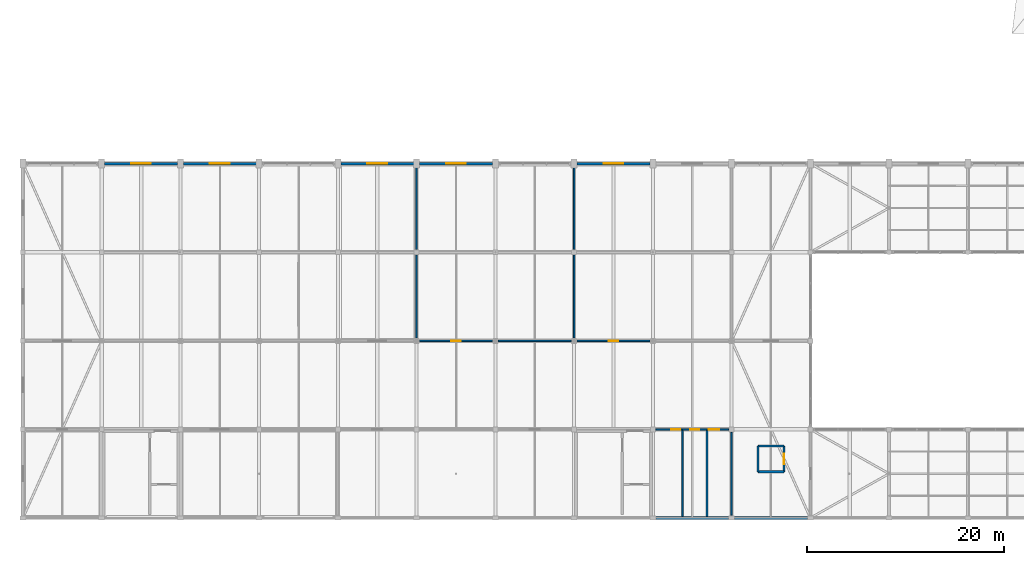
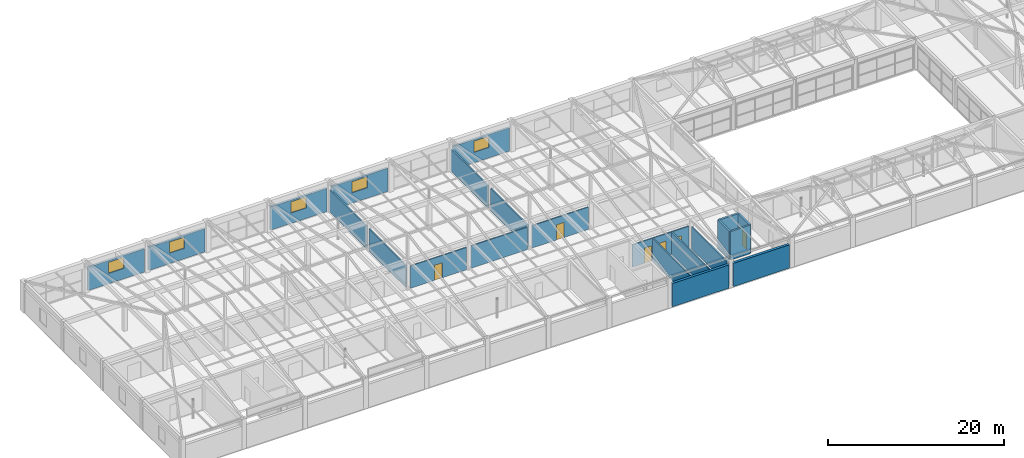
# One storey, part 54 of 65: 24 walls, 6 doors, 5 windows, 11 openings.
"""IFC4 building model written with IfcOpenShell, lengths in metres."""

from ifc_helpers import new_model, si_unit, direction, frame, frame_2d, origin, place, context, subcontext, project, spatial, rectangle, extrude, material, layer, layer_set, type_object, element, fill, save


model = new_model("IFC4")

# Units and contexts
model_context = context("Model", 3, precision=1e-05, world=origin(), true_north=direction((0.0, 1.0)))
body_context = subcontext(model_context, "Body", "Model", "MODEL_VIEW")
ifc_project = project(units=[si_unit("LENGTHUNIT", "METRE"), si_unit("AREAUNIT", "SQUARE_METRE"), si_unit("VOLUMEUNIT", "CUBIC_METRE"), si_unit("PLANEANGLEUNIT", "RADIAN"), si_unit("MASSUNIT", "GRAM", prefix="KILO")], contexts=[model_context])

# Site, building, storey
site_placement = place(None, origin())
site = spatial("IfcSite", under=ifc_project, at=site_placement, CompositionType="ELEMENT")
building_placement = place(site_placement, origin())
building = spatial("IfcBuilding", under=site, at=building_placement, Name="Varnabhumi Central Station", CompositionType="ELEMENT")
storey_placement = place(building_placement, frame((0.0, 0.0, 24.60009765625)))
storey = spatial("IfcBuildingStorey", under=building, at=storey_placement, Name="L05", CompositionType="ELEMENT", Elevation=24.60009765625)

# Wall, opening, window
ifc_material_1 = material(Name="Autoclaved aerated blockwork masonry", Category="masonry")
ifc_layer_1 = layer(ifc_material_1, 0.260009765625, Name="Autoclaved aerated blockwork masonry", Category="masonry")
ifc_layer_set_1 = layer_set([ifc_layer_1], Name="Autoclaved aerated blockwork masonry")
wall_type_1 = type_object("IfcWallType", Name="WAL-EXT-STUCCO-260", PredefinedType="SOLIDWALL", material=ifc_layer_set_1)
wall_1_placement = place(storey_placement, frame((40.294921875, 36.0, 0.0), z_axis=(0.0, 0.0, 1.0), x_axis=(1.0, 0.0, 0.0)))
wall_1 = element("IfcWall", 1, at=wall_1_placement, inside=storey, type_object=wall_type_1, Name="South Spine Wall L05-2", PredefinedType="SOLIDWALL", context=body_context, shape_type="SweptSolid", body=[
    extrude(rectangle(XDim=7.41015625, YDim=0.260009765625, at=frame_2d((3.705078125, 0.0))), origin(), (0.0, 0.0, 1.0), 3.239990234375),
])
opening_1_placement = place(wall_1_placement, frame((2.705078125, 0.0, 1.449951171875)))
opening_1 = element("IfcOpeningElement", 2, at=opening_1_placement, cuts=wall_1, Name="Opening W-06", PredefinedType="OPENING", context=body_context, shape_type="SweptSolid", body=[
    extrude(rectangle(XDim=2.0, YDim=1.550048828125, at=frame_2d((1.0, 0.77490234375))), frame((0.0, 0.139892578125, 0.0), z_axis=(0.0, -1.0, 0.0), x_axis=(1.0, 0.0, 0.0)), (0.0, 0.0, 1.0), 0.280029296875),
])
ifc_material_2 = material(Name="Laminated low-E double glazing", Category="glass")
window_type = type_object("IfcWindowType", Name="WIN-OPS-2000x1900", PartitioningType="DOUBLE_PANEL_VERTICAL", PredefinedType="WINDOW", material=ifc_material_2)
window_1_placement = place(opening_1_placement, origin())
window_1 = element("IfcWindow", 3, at=window_1_placement, inside=storey, type_object=window_type, Name="South Spine Overlook Window L05-2", OverallHeight=1.550048828125, OverallWidth=2.0, PartitioningType="SINGLE_PANEL", PredefinedType="WINDOW", context=body_context, shape_type="SweptSolid", body=[
    extrude(rectangle(XDim=2.0, YDim=1.550048828125, at=frame_2d((1.0, 0.77490234375))), frame((0.0, 0.030029296875, 0.0), z_axis=(0.0, -1.0, 0.0), x_axis=(1.0, 0.0, 0.0)), (0.0, 0.0, 1.0), 0.06005859375),
])
fill(opening_1, window_1)

wall_2_placement = place(storey_placement, frame((48.294921875, 36.0, 0.0), z_axis=(0.0, 0.0, 1.0), x_axis=(1.0, 0.0, 0.0)))
wall_2 = element("IfcWall", 4, at=wall_2_placement, inside=storey, type_object=wall_type_1, Name="South Spine Wall L05-3", PredefinedType="SOLIDWALL", context=body_context, shape_type="SweptSolid", body=[
    extrude(rectangle(XDim=7.41015625, YDim=0.260009765625, at=frame_2d((3.705078125, 0.0))), origin(), (0.0, 0.0, 1.0), 3.239990234375),
])
opening_2_placement = place(wall_2_placement, frame((2.705078125, 0.0, 1.449951171875)))
opening_2 = element("IfcOpeningElement", 5, at=opening_2_placement, cuts=wall_2, Name="Opening W-06", PredefinedType="OPENING", context=body_context, shape_type="SweptSolid", body=[
    extrude(rectangle(XDim=2.0, YDim=1.550048828125, at=frame_2d((1.0, 0.77490234375))), frame((0.0, 0.139892578125, 0.0), z_axis=(0.0, -1.0, 0.0), x_axis=(1.0, 0.0, 0.0)), (0.0, 0.0, 1.0), 0.280029296875),
])
window_2_placement = place(opening_2_placement, origin())
window_2 = element("IfcWindow", 6, at=window_2_placement, inside=storey, type_object=window_type, Name="South Spine Overlook Window L05-3", OverallHeight=1.550048828125, OverallWidth=2.0, PartitioningType="SINGLE_PANEL", PredefinedType="WINDOW", context=body_context, shape_type="SweptSolid", body=[
    extrude(rectangle(XDim=2.0, YDim=1.550048828125, at=frame_2d((1.0, 0.77490234375))), frame((0.0, 0.030029296875, 0.0), z_axis=(0.0, -1.0, 0.0), x_axis=(1.0, 0.0, 0.0)), (0.0, 0.0, 1.0), 0.06005859375),
])
fill(opening_2, window_2)

wall_3_placement = place(storey_placement, frame((64.294921875, 36.0, 0.0), z_axis=(0.0, 0.0, 1.0), x_axis=(1.0, 0.0, 0.0)))
wall_3 = element("IfcWall", 7, at=wall_3_placement, inside=storey, type_object=wall_type_1, Name="South Spine Wall L05-5", PredefinedType="SOLIDWALL", context=body_context, shape_type="SweptSolid", body=[
    extrude(rectangle(XDim=7.41015625, YDim=0.260009765625, at=frame_2d((3.705078125, 0.0))), origin(), (0.0, 0.0, 1.0), 3.239990234375),
])
opening_3_placement = place(wall_3_placement, frame((2.705078125, 0.0, 1.449951171875)))
opening_3 = element("IfcOpeningElement", 8, at=opening_3_placement, cuts=wall_3, Name="Opening W-06", PredefinedType="OPENING", context=body_context, shape_type="SweptSolid", body=[
    extrude(rectangle(XDim=2.0, YDim=1.550048828125, at=frame_2d((1.0, 0.77490234375))), frame((0.0, 0.139892578125, 0.0), z_axis=(0.0, -1.0, 0.0), x_axis=(1.0, 0.0, 0.0)), (0.0, 0.0, 1.0), 0.280029296875),
])
window_3_placement = place(opening_3_placement, origin())
window_3 = element("IfcWindow", 9, at=window_3_placement, inside=storey, type_object=window_type, Name="South Spine Overlook Window L05-5", OverallHeight=1.550048828125, OverallWidth=2.0, PartitioningType="SINGLE_PANEL", PredefinedType="WINDOW", context=body_context, shape_type="SweptSolid", body=[
    extrude(rectangle(XDim=2.0, YDim=1.550048828125, at=frame_2d((1.0, 0.77490234375))), frame((0.0, 0.030029296875, 0.0), z_axis=(0.0, -1.0, 0.0), x_axis=(1.0, 0.0, 0.0)), (0.0, 0.0, 1.0), 0.06005859375),
])
fill(opening_3, window_3)

wall_4_placement = place(storey_placement, frame((72.294921875, 36.0, 0.0), z_axis=(0.0, 0.0, 1.0), x_axis=(1.0, 0.0, 0.0)))
wall_4 = element("IfcWall", 10, at=wall_4_placement, inside=storey, type_object=wall_type_1, Name="South Spine Wall L05-6", PredefinedType="SOLIDWALL", context=body_context, shape_type="SweptSolid", body=[
    extrude(rectangle(XDim=7.41015625, YDim=0.260009765625, at=frame_2d((3.705078125, 0.0))), origin(), (0.0, 0.0, 1.0), 3.239990234375),
])
opening_4_placement = place(wall_4_placement, frame((2.705078125, 0.0, 1.449951171875)))
opening_4 = element("IfcOpeningElement", 11, at=opening_4_placement, cuts=wall_4, Name="Opening W-06", PredefinedType="OPENING", context=body_context, shape_type="SweptSolid", body=[
    extrude(rectangle(XDim=2.0, YDim=1.550048828125, at=frame_2d((1.0, 0.77490234375))), frame((0.0, 0.139892578125, 0.0), z_axis=(0.0, -1.0, 0.0), x_axis=(1.0, 0.0, 0.0)), (0.0, 0.0, 1.0), 0.280029296875),
])
window_4_placement = place(opening_4_placement, origin())
window_4 = element("IfcWindow", 12, at=window_4_placement, inside=storey, type_object=window_type, Name="South Spine Overlook Window L05-6", OverallHeight=1.550048828125, OverallWidth=2.0, PartitioningType="SINGLE_PANEL", PredefinedType="WINDOW", context=body_context, shape_type="SweptSolid", body=[
    extrude(rectangle(XDim=2.0, YDim=1.550048828125, at=frame_2d((1.0, 0.77490234375))), frame((0.0, 0.030029296875, 0.0), z_axis=(0.0, -1.0, 0.0), x_axis=(1.0, 0.0, 0.0)), (0.0, 0.0, 1.0), 0.06005859375),
])
fill(opening_4, window_4)

wall_5_placement = place(storey_placement, frame((88.294921875, 36.0, 0.0), z_axis=(0.0, 0.0, 1.0), x_axis=(1.0, 0.0, 0.0)))
wall_5 = element("IfcWall", 13, at=wall_5_placement, inside=storey, type_object=wall_type_1, Name="South Spine Wall L05-8", PredefinedType="SOLIDWALL", context=body_context, shape_type="SweptSolid", body=[
    extrude(rectangle(XDim=7.41015625, YDim=0.260009765625, at=frame_2d((3.705078125, 0.0))), origin(), (0.0, 0.0, 1.0), 3.239990234375),
])
opening_5_placement = place(wall_5_placement, frame((2.705078125, 0.0, 1.449951171875)))
opening_5 = element("IfcOpeningElement", 14, at=opening_5_placement, cuts=wall_5, Name="Opening W-06", PredefinedType="OPENING", context=body_context, shape_type="SweptSolid", body=[
    extrude(rectangle(XDim=2.0, YDim=1.550048828125, at=frame_2d((1.0, 0.77490234375))), frame((0.0, 0.139892578125, 0.0), z_axis=(0.0, -1.0, 0.0), x_axis=(1.0, 0.0, 0.0)), (0.0, 0.0, 1.0), 0.280029296875),
])
window_5_placement = place(opening_5_placement, origin())
window_5 = element("IfcWindow", 15, at=window_5_placement, inside=storey, type_object=window_type, Name="South Spine Overlook Window L05-8", OverallHeight=1.550048828125, OverallWidth=2.0, PartitioningType="SINGLE_PANEL", PredefinedType="WINDOW", context=body_context, shape_type="SweptSolid", body=[
    extrude(rectangle(XDim=2.0, YDim=1.550048828125, at=frame_2d((1.0, 0.77490234375))), frame((0.0, 0.030029296875, 0.0), z_axis=(0.0, -1.0, 0.0), x_axis=(1.0, 0.0, 0.0)), (0.0, 0.0, 1.0), 0.06005859375),
])
fill(opening_5, window_5)

# Walls
ifc_layer_2 = layer(ifc_material_1, 0.159912109375, Name="Autoclaved aerated blockwork masonry", Category="masonry")
ifc_layer_set_2 = layer_set([ifc_layer_2], Name="Autoclaved aerated blockwork masonry")
wall_type_2 = type_object("IfcWallType", Name="WAL-PART-AAC-160", PredefinedType="PARTITIONING", material=ifc_layer_set_2)
for number, where, z_axis, x_axis, name in (
    (16, (72.0, 18.300048828125, 0.0), (0.0, 0.0, 1.0), (0.0, 1.0, 0.0), "Railway Staff Canteen and Dining Hall W Partition 1"),
    (17, (72.0, 27.300048828125, 0.0), (0.0, 0.0, 1.0), (0.0, 1.0, 0.0), "Railway Staff Canteen and Dining Hall W Partition 2"),
):
    element("IfcWall", number, at=place(storey_placement, frame(where, z_axis=z_axis, x_axis=x_axis)), inside=storey, type_object=wall_type_2, Name=name, PredefinedType="PARTITIONING", context=body_context, shape_type="SweptSolid", body=[
        extrude(rectangle(XDim=8.39990234375, YDim=0.159912109375, at=frame_2d((4.199951171875, 0.0))), origin(), (0.0, 0.0, 1.0), 3.099853515625),
    ])

# Wall, opening, door
wall_6_placement = place(storey_placement, frame((72.300048828125, 18.0, 0.0), z_axis=(0.0, 0.0, 1.0), x_axis=(1.0, 0.0, 0.0)))
wall_6 = element("IfcWall", 18, at=wall_6_placement, inside=storey, type_object=wall_type_2, Name="Locomotive and Guard Crew Sign-On Office Corridor Partition 1", PredefinedType="PARTITIONING", context=body_context, shape_type="SweptSolid", body=[
    extrude(rectangle(XDim=7.39990234375, YDim=0.159912109375, at=frame_2d((3.699951171875, 0.0))), origin(), (0.0, 0.0, 1.0), 3.099853515625),
])
opening_6_placement = place(wall_6_placement, frame((3.199951171875, 0.0, 0.0)))
opening_6 = element("IfcOpeningElement", 19, at=opening_6_placement, cuts=wall_6, Name="Opening D-01", PredefinedType="OPENING", context=body_context, shape_type="SweptSolid", body=[
    extrude(rectangle(XDim=1.0, YDim=2.10009765625, at=frame_2d((0.5, 1.050048828125))), frame((0.0, 0.08984375, 0.0), z_axis=(0.0, -1.0, 0.0), x_axis=(1.0, 0.0, 0.0)), (0.0, 0.0, 1.0), 0.179931640625),
])
ifc_material_3 = material(Name="Intumescent-treated hardwood timber", Category="wood")
door_type_1 = type_object("IfcDoorType", Name="DR-ROOM-1000", OperationType="NOTDEFINED", PredefinedType="DOOR", material=ifc_material_3)
door_1_placement = place(opening_6_placement, frame((1.0, 0.0, 0.0), z_axis=(0.0, 0.0, 1.0), x_axis=(-1.0, 0.0, 0.0)))
door_1 = element("IfcDoor", 20, at=door_1_placement, inside=storey, type_object=door_type_1, Name="Locomotive and Guard Crew Sign-On Office Door 1", OperationType="SINGLE_SWING_LEFT", OverallHeight=2.10009765625, OverallWidth=1.0, PredefinedType="DOOR", context=body_context, shape_type="SweptSolid", body=[
    extrude(rectangle(XDim=1.0, YDim=2.10009765625, at=frame_2d((0.5, 1.050048828125))), frame((0.0, 0.02490234375, 0.0), z_axis=(0.0, -1.0, 0.0), x_axis=(1.0, 0.0, 0.0)), (0.0, 0.0, 1.0), 0.050048828125),
])
fill(opening_6, door_1)

# Walls
wall_7_placement = place(storey_placement, frame((80.300048828125, 18.0, 0.0), z_axis=(0.0, 0.0, 1.0), x_axis=(1.0, 0.0, 0.0)))
element("IfcWall", 21, at=wall_7_placement, inside=storey, type_object=wall_type_2, Name="Locomotive and Guard Crew Sign-On Office Corridor Partition 2", PredefinedType="PARTITIONING", context=body_context, shape_type="SweptSolid", body=[
    extrude(rectangle(XDim=7.39990234375, YDim=0.159912109375, at=frame_2d((3.699951171875, 0.0))), origin(), (0.0, 0.0, 1.0), 3.099853515625),
])
for number, where, z_axis, x_axis, name in (
    (22, (88.0, 18.300048828125, 0.0), (0.0, 0.0, 1.0), (0.0, 1.0, 0.0), "Locomotive and Guard Crew Sign-On Office W Partition 1"),
    (23, (88.0, 27.300048828125, 0.0), (0.0, 0.0, 1.0), (0.0, 1.0, 0.0), "Locomotive and Guard Crew Sign-On Office W Partition 2"),
):
    element("IfcWall", number, at=place(storey_placement, frame(where, z_axis=z_axis, x_axis=x_axis)), inside=storey, type_object=wall_type_2, Name=name, PredefinedType="PARTITIONING", context=body_context, shape_type="SweptSolid", body=[
        extrude(rectangle(XDim=8.39990234375, YDim=0.159912109375, at=frame_2d((4.199951171875, 0.0))), origin(), (0.0, 0.0, 1.0), 3.099853515625),
    ])

# Wall, opening, door
wall_8_placement = place(storey_placement, frame((88.300048828125, 18.0, 0.0), z_axis=(0.0, 0.0, 1.0), x_axis=(1.0, 0.0, 0.0)))
wall_8 = element("IfcWall", 24, at=wall_8_placement, inside=storey, type_object=wall_type_2, Name="Running Staff Quiet Rest Room Central Corridor Partition 1", PredefinedType="PARTITIONING", context=body_context, shape_type="SweptSolid", body=[
    extrude(rectangle(XDim=7.39990234375, YDim=0.159912109375, at=frame_2d((3.699951171875, 0.0))), origin(), (0.0, 0.0, 1.0), 3.099853515625),
])
opening_7_placement = place(wall_8_placement, frame((3.199951171875, 0.0, 0.0)))
opening_7 = element("IfcOpeningElement", 25, at=opening_7_placement, cuts=wall_8, Name="Opening D-01", PredefinedType="OPENING", context=body_context, shape_type="SweptSolid", body=[
    extrude(rectangle(XDim=1.0, YDim=2.10009765625, at=frame_2d((0.5, 1.050048828125))), frame((0.0, 0.08984375, 0.0), z_axis=(0.0, -1.0, 0.0), x_axis=(1.0, 0.0, 0.0)), (0.0, 0.0, 1.0), 0.179931640625),
])
door_2_placement = place(opening_7_placement, frame((1.0, 0.0, 0.0), z_axis=(0.0, 0.0, 1.0), x_axis=(-1.0, 0.0, 0.0)))
door_2 = element("IfcDoor", 26, at=door_2_placement, inside=storey, type_object=door_type_1, Name="Running Staff Quiet Rest Room Central Door 1", OperationType="SINGLE_SWING_RIGHT", OverallHeight=2.10009765625, OverallWidth=1.0, PredefinedType="DOOR", context=body_context, shape_type="SweptSolid", body=[
    extrude(rectangle(XDim=1.0, YDim=2.10009765625, at=frame_2d((0.5, 1.050048828125))), frame((0.0, 0.02490234375, 0.0), z_axis=(0.0, -1.0, 0.0), x_axis=(1.0, 0.0, 0.0)), (0.0, 0.0, 1.0), 0.050048828125),
])
fill(opening_7, door_2)

wall_9_placement = place(storey_placement, frame((96.300048828125, 9.0, 0.0), z_axis=(0.0, 0.0, 1.0), x_axis=(1.0, 0.0, 0.0)))
wall_9 = element("IfcWall", 27, at=wall_9_placement, inside=storey, type_object=wall_type_2, Name="Staff Male WC L05 Corridor Partition 1", PredefinedType="PARTITIONING", context=body_context, shape_type="SweptSolid", body=[
    extrude(rectangle(XDim=2.699951171875, YDim=0.159912109375, at=frame_2d((1.35009765625, 0.0))), origin(), (0.0, 0.0, 1.0), 3.099853515625),
])
opening_8_placement = place(wall_9_placement, frame((1.550048828125, 0.0, 0.0)))
opening_8 = element("IfcOpeningElement", 28, at=opening_8_placement, cuts=wall_9, Name="Opening D-04", PredefinedType="OPENING", context=body_context, shape_type="SweptSolid", body=[
    extrude(rectangle(XDim=0.949951171875, YDim=2.10009765625, at=frame_2d((0.47509765625, 1.050048828125))), frame((0.0, 0.08984375, 0.0), z_axis=(0.0, -1.0, 0.0), x_axis=(1.0, 0.0, 0.0)), (0.0, 0.0, 1.0), 0.179931640625),
])
door_type_2 = type_object("IfcDoorType", Name="DR-WC-950", OperationType="NOTDEFINED", PredefinedType="DOOR", material=ifc_material_3)
door_3_placement = place(opening_8_placement, origin())
door_3 = element("IfcDoor", 29, at=door_3_placement, inside=storey, type_object=door_type_2, Name="Staff Male WC L05 Door 1", OperationType="SINGLE_SWING_LEFT", OverallHeight=2.10009765625, OverallWidth=0.949951171875, PredefinedType="DOOR", context=body_context, shape_type="SweptSolid", body=[
    extrude(rectangle(XDim=0.949951171875, YDim=2.10009765625, at=frame_2d((0.47509765625, 1.050048828125))), frame((0.0, 0.02490234375, 0.0), z_axis=(0.0, -1.0, 0.0), x_axis=(1.0, 0.0, 0.0)), (0.0, 0.0, 1.0), 0.050048828125),
])
fill(opening_8, door_3)

# Wall
wall_10_placement = place(storey_placement, frame((99.0, 0.159912109375, 0.0), z_axis=(0.0, 0.0, 1.0), x_axis=(0.0, 1.0, 0.0)))
element("IfcWall", 30, at=wall_10_placement, inside=storey, type_object=wall_type_2, Name="Staff Male WC L05 W Partition 1", PredefinedType="PARTITIONING", context=body_context, shape_type="SweptSolid", body=[
    extrude(rectangle(XDim=8.760009765625, YDim=0.159912109375, at=frame_2d((4.3798828125, 0.0))), origin(), (0.0, 0.0, 1.0), 3.099853515625),
])

# Wall, opening, door
wall_11_placement = place(storey_placement, frame((99.0, 9.0, 0.0), z_axis=(0.0, 0.0, 1.0), x_axis=(1.0, 0.0, 0.0)))
wall_11 = element("IfcWall", 31, at=wall_11_placement, inside=storey, type_object=wall_type_2, Name="Staff Female WC L05 Corridor Partition 1", PredefinedType="PARTITIONING", context=body_context, shape_type="SweptSolid", body=[
    extrude(rectangle(XDim=2.5, YDim=0.159912109375, at=frame_2d((1.25, 0.0))), origin(), (0.0, 0.0, 1.0), 3.099853515625),
])
opening_9_placement = place(wall_11_placement, frame((0.77490234375, 0.0, 0.0)))
opening_9 = element("IfcOpeningElement", 32, at=opening_9_placement, cuts=wall_11, Name="Opening D-04", PredefinedType="OPENING", context=body_context, shape_type="SweptSolid", body=[
    extrude(rectangle(XDim=0.949951171875, YDim=2.10009765625, at=frame_2d((0.47509765625, 1.050048828125))), frame((0.0, 0.08984375, 0.0), z_axis=(0.0, -1.0, 0.0), x_axis=(1.0, 0.0, 0.0)), (0.0, 0.0, 1.0), 0.179931640625),
])
door_4_placement = place(opening_9_placement, origin())
door_4 = element("IfcDoor", 33, at=door_4_placement, inside=storey, type_object=door_type_2, Name="Staff Female WC L05 Door 1", OperationType="SINGLE_SWING_RIGHT", OverallHeight=2.10009765625, OverallWidth=0.949951171875, PredefinedType="DOOR", context=body_context, shape_type="SweptSolid", body=[
    extrude(rectangle(XDim=0.949951171875, YDim=2.10009765625, at=frame_2d((0.47509765625, 1.050048828125))), frame((0.0, 0.02490234375, 0.0), z_axis=(0.0, -1.0, 0.0), x_axis=(1.0, 0.0, 0.0)), (0.0, 0.0, 1.0), 0.050048828125),
])
fill(opening_9, door_4)

# Wall
wall_12_placement = place(storey_placement, frame((101.5, 0.159912109375, 0.0), z_axis=(0.0, 0.0, 1.0), x_axis=(0.0, 1.0, 0.0)))
element("IfcWall", 34, at=wall_12_placement, inside=storey, type_object=wall_type_2, Name="Staff Female WC L05 W Partition 1", PredefinedType="PARTITIONING", context=body_context, shape_type="SweptSolid", body=[
    extrude(rectangle(XDim=8.760009765625, YDim=0.159912109375, at=frame_2d((4.3798828125, 0.0))), origin(), (0.0, 0.0, 1.0), 3.099853515625),
])

# Wall, opening, door
wall_13_placement = place(storey_placement, frame((101.5, 9.0, 0.0), z_axis=(0.0, 0.0, 1.0), x_axis=(1.0, 0.0, 0.0)))
wall_13 = element("IfcWall", 35, at=wall_13_placement, inside=storey, type_object=wall_type_2, Name="Accessible WC L05 Corridor Partition 1", PredefinedType="PARTITIONING", context=body_context, shape_type="SweptSolid", body=[
    extrude(rectangle(XDim=2.199951171875, YDim=0.159912109375, at=frame_2d((1.10009765625, 0.0))), origin(), (0.0, 0.0, 1.0), 3.099853515625),
])
opening_10_placement = place(wall_13_placement, frame((0.199951171875, 0.0, 0.0)))
opening_10 = element("IfcOpeningElement", 36, at=opening_10_placement, cuts=wall_13, Name="Opening D-05", PredefinedType="OPENING", context=body_context, shape_type="SweptSolid", body=[
    extrude(rectangle(XDim=1.050048828125, YDim=2.10009765625, at=frame_2d((0.52490234375, 1.050048828125))), frame((0.0, 0.08984375, 0.0), z_axis=(0.0, -1.0, 0.0), x_axis=(1.0, 0.0, 0.0)), (0.0, 0.0, 1.0), 0.179931640625),
])
door_type_3 = type_object("IfcDoorType", Name="DR-ACC-WC-1050", OperationType="NOTDEFINED", PredefinedType="DOOR", material=ifc_material_3)
door_5_placement = place(opening_10_placement, origin())
door_5 = element("IfcDoor", 37, at=door_5_placement, inside=storey, type_object=door_type_3, Name="Accessible WC L05 Door 1", OperationType="SINGLE_SWING_LEFT", OverallHeight=2.10009765625, OverallWidth=1.050048828125, PredefinedType="DOOR", context=body_context, shape_type="SweptSolid", body=[
    extrude(rectangle(XDim=1.050048828125, YDim=2.10009765625, at=frame_2d((0.52490234375, 1.050048828125))), frame((0.0, 0.02490234375, 0.0), z_axis=(0.0, -1.0, 0.0), x_axis=(1.0, 0.0, 0.0)), (0.0, 0.0, 1.0), 0.050048828125),
])
fill(opening_10, door_5)

# Walls
wall_14_placement = place(storey_placement, frame((104.0, 0.300048828125, 0.0), z_axis=(0.0, 0.0, 1.0), x_axis=(0.0, 1.0, 0.0)))
element("IfcWall", 38, at=wall_14_placement, inside=storey, type_object=wall_type_2, Name="Accessible WC L05 W Partition 1", PredefinedType="PARTITIONING", context=body_context, shape_type="SweptSolid", body=[
    extrude(rectangle(XDim=8.39990234375, YDim=0.159912109375, at=frame_2d((4.199951171875, 0.0))), origin(), (0.0, 0.0, 1.0), 3.099853515625),
])
ifc_material_4 = material(Name="Concrete M40", Category="concrete")
ifc_layer_3 = layer(ifc_material_4, 0.239990234375, Name="Concrete M40", Category="concrete")
ifc_layer_set_3 = layer_set([ifc_layer_3], Name="Concrete M40")
wall_type_3 = type_object("IfcWallType", Name="WAL-SHAFT-RC-240", PredefinedType="SHEAR", material=ifc_layer_set_3)
for number, where, z_axis, x_axis, name in (
    (39, (106.679931640625, 4.679931640625, 0.0), (0.0, 0.0, 1.0), (0.0, 1.0, 0.0), "PL-8 L05 Shaft West Wall"),
    (40, (106.679931640625, 4.679931640625, 0.0), (0.0, 0.0, 1.0), (1.0, 0.0, 0.0), "PL-8 L05 Shaft South Wall"),
    (41, (106.679931640625, 7.320068359375, 0.0), (0.0, 0.0, 1.0), (1.0, 0.0, 0.0), "PL-8 L05 Shaft North Wall"),
):
    element("IfcWall", number, at=place(storey_placement, frame(where, z_axis=z_axis, x_axis=x_axis)), inside=storey, type_object=wall_type_3, Name=name, PredefinedType="SHEAR", context=body_context, shape_type="SweptSolid", body=[
        extrude(rectangle(XDim=2.64013671875, YDim=0.239990234375, at=frame_2d((1.320068359375, 0.0))), origin(), (0.0, 0.0, 1.0), 3.949951171875),
    ])

# Wall, opening, door
wall_15_placement = place(storey_placement, frame((109.320068359375, 4.679931640625, 0.0), z_axis=(0.0, 0.0, 1.0), x_axis=(0.0, 1.0, 0.0)))
wall_15 = element("IfcWall", 42, at=wall_15_placement, inside=storey, type_object=wall_type_3, Name="PL-8 L05 Shaft Front Wall", PredefinedType="SHEAR", context=body_context, shape_type="SweptSolid", body=[
    extrude(rectangle(XDim=2.64013671875, YDim=0.239990234375, at=frame_2d((1.320068359375, 0.0))), origin(), (0.0, 0.0, 1.0), 3.949951171875),
])
opening_11_placement = place(wall_15_placement, frame((0.77001953125, 0.0, 0.0)))
opening_11 = element("IfcOpeningElement", 43, at=opening_11_placement, cuts=wall_15, Name="Opening LD-PL-8", PredefinedType="OPENING", context=body_context, shape_type="SweptSolid", body=[
    extrude(rectangle(XDim=1.10009765625, YDim=2.14990234375, at=frame_2d((0.550048828125, 1.074951171875))), frame((0.0, 0.1298828125, 0.0), z_axis=(0.0, -1.0, 0.0), x_axis=(1.0, 0.0, 0.0)), (0.0, 0.0, 1.0), 0.260009765625),
])
ifc_material_5 = material(Name="Stainless steel Grade 316", Category="steel")
door_type_4 = type_object("IfcDoorType", Name="DR-LIFT-PASS-1100", OperationType="NOTDEFINED", PredefinedType="DOOR", material=ifc_material_5)
door_6_placement = place(opening_11_placement, origin())
door_6 = element("IfcDoor", 44, at=door_6_placement, inside=storey, type_object=door_type_4, Name="Lift Landing Door PL-8 L05", OperationType="DOUBLE_DOOR_SLIDING", OverallHeight=2.14990234375, OverallWidth=1.10009765625, PredefinedType="DOOR", context=body_context, shape_type="SweptSolid", body=[
    extrude(rectangle(XDim=1.10009765625, YDim=2.14990234375, at=frame_2d((0.550048828125, 1.074951171875))), frame((0.0, 0.02490234375, 0.0), z_axis=(0.0, -1.0, 0.0), x_axis=(1.0, 0.0, 0.0)), (0.0, 0.0, 1.0), 0.050048828125),
])
fill(opening_11, door_6)

# Walls
ifc_layer_4 = layer(ifc_material_4, 0.340087890625, Name="Concrete M40", Category="concrete")
ifc_layer_set_4 = layer_set([ifc_layer_4], Name="Concrete M40")
wall_type_4 = type_object("IfcWallType", Name="WAL-SOUTH-FIRE-340", PredefinedType="SOLIDWALL", material=ifc_layer_set_4)
for number, where, z_axis, x_axis, name in (
    (45, (96.294921875, 0.0, 0.0), (0.0, 0.0, 1.0), (1.0, 0.0, 0.0), "South Infill Boundary Fire Wall L05-9"),
    (46, (104.294921875, 0.0, 0.0), (0.0, 0.0, 1.0), (1.0, 0.0, 0.0), "South Infill Boundary Fire Wall L05-10"),
):
    element("IfcWall", number, at=place(storey_placement, frame(where, z_axis=z_axis, x_axis=x_axis)), inside=storey, type_object=wall_type_4, Name=name, PredefinedType="SOLIDWALL", context=body_context, shape_type="SweptSolid", body=[
        extrude(rectangle(XDim=7.41015625, YDim=0.340087890625, at=frame_2d((3.705078125, 0.0))), origin(), (0.0, 0.0, 1.0), 3.239990234375),
    ])

save(model, "model.ifc")
